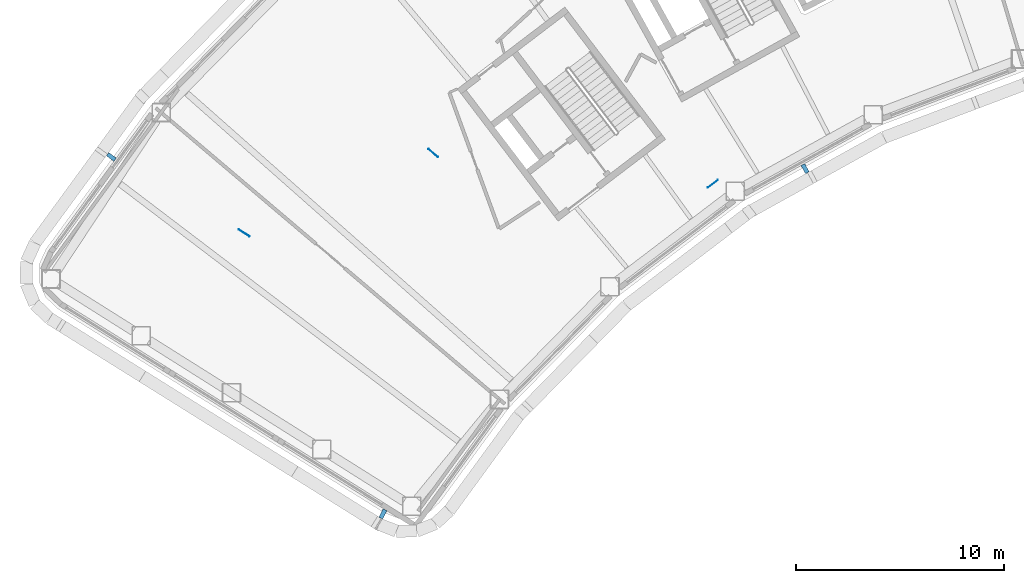
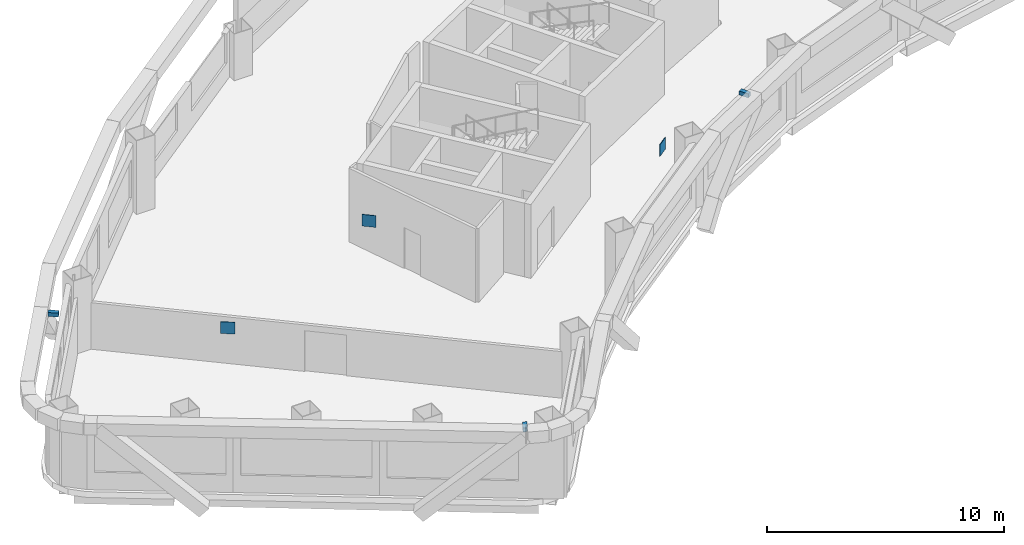
# One storey, part 12 of 20: 6 discrete accessories.
"""IFC4 building model written with IfcOpenShell, lengths in metres."""

from ifc_helpers import new_model, si_unit, direction, frame, origin, origin_2d, place, context, subcontext, project, spatial, rectangle, extrude, material, type_object, element, save


model = new_model("IFC4")

# Units and contexts
model_context = context("Model", 3, precision=1e-05, world=origin(), true_north=direction((0.0, 1.0)))
body_context = subcontext(model_context, "Body", "Model", "MODEL_VIEW")
ifc_project = project(units=[si_unit("LENGTHUNIT", "METRE"), si_unit("AREAUNIT", "SQUARE_METRE"), si_unit("VOLUMEUNIT", "CUBIC_METRE"), si_unit("PLANEANGLEUNIT", "RADIAN"), si_unit("MASSUNIT", "GRAM", prefix="KILO")], contexts=[model_context])

# Site, building, storey
site_placement = place(None, origin())
site = spatial("IfcSite", under=ifc_project, at=site_placement, CompositionType="ELEMENT")
building_placement = place(site_placement, origin())
building = spatial("IfcBuilding", under=site, at=building_placement, Name="Tuul Gate Civic Tower", CompositionType="ELEMENT")
storey_placement = place(building_placement, frame((0.0, 0.0, 197.300048828125)))
storey = spatial("IfcBuildingStorey", under=building, at=storey_placement, Name="Level 45", CompositionType="ELEMENT", Elevation=197.300048828125)

# Discrete accessories
ifc_material_1 = material(Name="Steel S355", Category="steel")
discrete_accessory_type_1 = type_object("IfcDiscreteAccessoryType", Name="Gusset plate", PredefinedType="BRACKET", material=ifc_material_1)
for number, where, z_axis, x_axis, name in (
    (1, (-42.28662109375, -14.45458984375, 2.796875), (0.0, 0.0, 1.0), (-0.76282474496, 0.646605295738, 0.0), "Gusset plate"),
    (2, (-28.8271484375, -15.937744140625, 2.796142578125), (0.0, 0.0, 1.0), (0.795616135693, 0.605801093284, 0.0), "Gusset plate"),
    (3, (-51.388916015625, -18.297119140625, 2.795654296875), (0.0, 0.0, 1.0), (0.846187288195, -0.532885609956, 0.0), "Gusset plate"),
):
    element("IfcDiscreteAccessory", number, at=place(storey_placement, frame(where, z_axis=z_axis, x_axis=x_axis)), inside=storey, type_object=discrete_accessory_type_1, Name=name, PredefinedType="BRACKET", context=body_context, shape_type="SweptSolid", body=[
        extrude(rectangle(XDim=0.60009765625, YDim=0.030029296875, at=origin_2d()), origin(), (0.0, 0.0, 1.0), 0.60009765625),
    ])
ifc_material_2 = material(Name="Stainless steel", Category="steel")
discrete_accessory_type_2 = type_object("IfcDiscreteAccessoryType", Name="Screen bracket", PredefinedType="BRACKET", material=ifc_material_2)
discrete_accessory_1_placement = place(storey_placement, frame((-57.7783203125, -14.63671875, 3.75), z_axis=(0.0, 0.0, 1.0), x_axis=(-0.802893433111, 0.596122583927, 0.0)))
element("IfcDiscreteAccessory", 4, at=discrete_accessory_1_placement, inside=storey, type_object=discrete_accessory_type_2, Name="Screen bracket 17", PredefinedType="BRACKET", context=body_context, shape_type="SweptSolid", body=[
    extrude(rectangle(XDim=0.449951171875, YDim=0.199951171875, at=origin_2d()), origin(), (0.0, 0.0, 1.0), 0.199951171875),
])
discrete_accessory_2_placement = place(storey_placement, frame((-44.70263671875, -31.8193359375, 3.75), z_axis=(0.0, 0.0, 1.0), x_axis=(-0.44884181103, -0.893611229043, 0.0)))
element("IfcDiscreteAccessory", 5, at=discrete_accessory_2_placement, inside=storey, type_object=discrete_accessory_type_2, Name="Screen bracket 20", PredefinedType="BRACKET", context=body_context, shape_type="SweptSolid", body=[
    extrude(rectangle(XDim=0.451904296875, YDim=0.199951171875, at=origin_2d()), origin(), (0.0, 0.0, 1.0), 0.199951171875),
])
discrete_accessory_3_placement = place(storey_placement, frame((-24.381591796875, -15.2001953125, 3.75), z_axis=(0.0, 0.0, 1.0), x_axis=(0.490458166846, -0.871464736277, 0.0)))
element("IfcDiscreteAccessory", 6, at=discrete_accessory_3_placement, inside=storey, type_object=discrete_accessory_type_2, Name="Screen bracket 23", PredefinedType="BRACKET", context=body_context, shape_type="SweptSolid", body=[
    extrude(rectangle(XDim=0.449951171875, YDim=0.199951171875, at=origin_2d()), origin(), (0.0, 0.0, 1.0), 0.199951171875),
])

save(model, "model.ifc")
